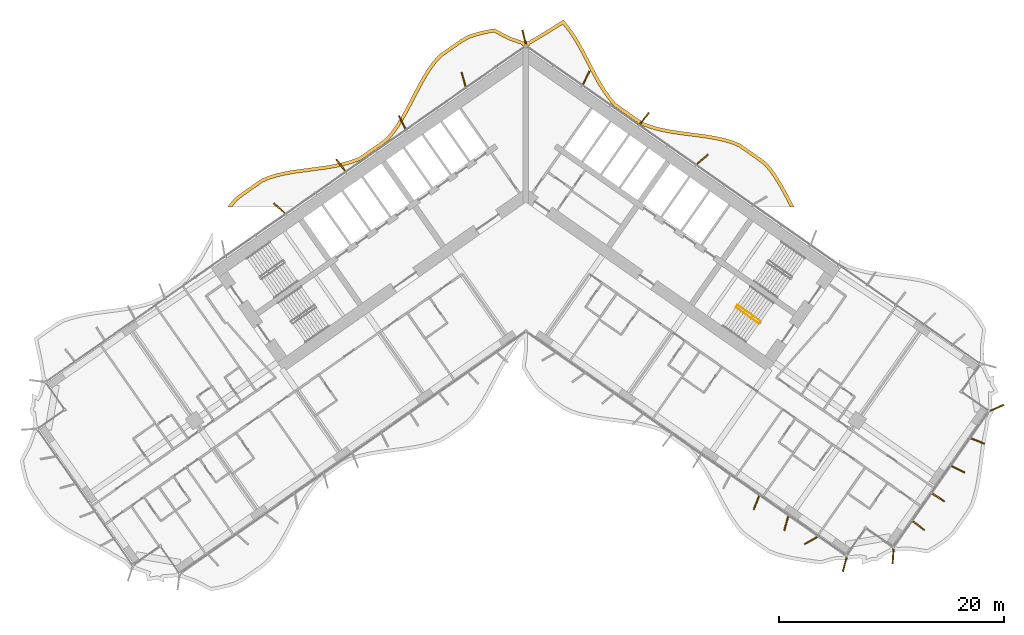
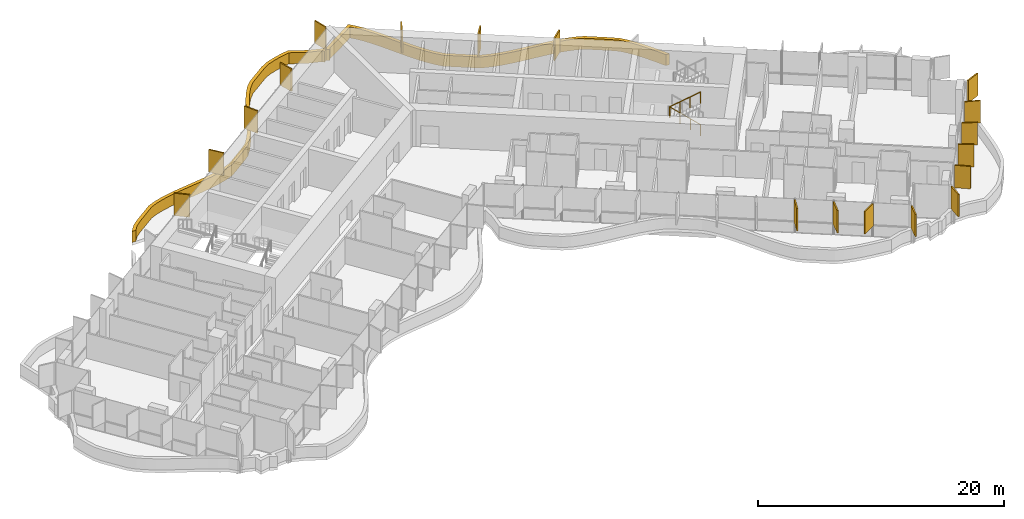
# One storey, part 23 of 24: 19 shading devices, 2 railings.
"""IFC4 building model written with IfcOpenShell, lengths in metres."""

import ifcopenshell
import ifcopenshell.guid

model = None  # the IFC model being written
_history = None  # IfcOwnerHistory: only IFC2X3 demands one
_inside = {}  # id of a spatial element -> (the spatial element, [elements in it])
_under = {}  # id of a project, library or spatial element -> (it, [spatial elements below it])
_declared = {}  # id of a project -> (the project, [libraries it declares])
_typed = {}  # id of a type object -> (the type object, [elements of that type])
_made_of = {}  # id of a material, layer set ... -> (it, [elements and type objects made of it])


def new_model(schema):
    """Start an empty IFC model of exactly this schema.

    Asked for "IFC4X3", IfcOpenShell would pick the latest addendum, in which some entities
    have other attributes; the version numbers below select the first issue.
    IFC2X3 requires an IfcOwnerHistory on every rooted entity: one is made here for all.
    """
    global model, _history
    if schema == "IFC4X3":
        model = ifcopenshell.file(schema_version=(4, 3, 0, 0))
    else:
        model = ifcopenshell.file(schema=schema)
    _inside.clear()
    _under.clear()
    _declared.clear()
    _typed.clear()
    _made_of.clear()
    _history = None
    if model.schema == "IFC2X3":
        org = make("IfcOrganization", Name="unknown")
        user = make(
            "IfcPersonAndOrganization",
            ThePerson=make("IfcPerson", FamilyName="unknown"),
            TheOrganization=org,
        )
        app = make(
            "IfcApplication",
            ApplicationDeveloper=org,
            Version="unknown",
            ApplicationFullName="unknown",
            ApplicationIdentifier="unknown",
        )
        _history = make(
            "IfcOwnerHistory",
            OwningUser=user,
            OwningApplication=app,
            ChangeAction="ADDED",
            CreationDate=0,
        )
    return model


def make(cls, **values):
    """One entity of the class cls with the attributes given. An attribute that is None is left unset."""
    return model.create_entity(
        cls, **{name: value for name, value in values.items() if value is not None}
    )


def rooted(cls, **values):
    """An entity with a GlobalId (a new one), such as an element, a storey or a relation."""
    return make(cls, GlobalId=ifcopenshell.guid.new(), OwnerHistory=_history, **values)


def si_unit(unit_type, name, prefix=None):
    """IfcSIUnit, for example si_unit("LENGTHUNIT", "METRE", prefix="MILLI")."""
    return make("IfcSIUnit", UnitType=unit_type, Prefix=prefix, Name=name)


def assignment(units):
    """IfcUnitAssignment: the units of a project."""
    return None if units is None else make("IfcUnitAssignment", Units=units)


def point(xyz):
    """IfcCartesianPoint."""
    return None if xyz is None else make("IfcCartesianPoint", Coordinates=xyz)


def direction(xyz):
    """IfcDirection."""
    return None if xyz is None else make("IfcDirection", DirectionRatios=xyz)


def frame(location, z_axis=None, x_axis=None):
    """IfcAxis2Placement3D, a coordinate frame: its origin and axes. An axis left out is left unset."""
    return make(
        "IfcAxis2Placement3D",
        Location=point(location),
        Axis=direction(z_axis),
        RefDirection=direction(x_axis),
    )


def frame_2d(location, x_axis=None):
    """IfcAxis2Placement2D, a coordinate frame in the plane: its origin and x axis."""
    return make(
        "IfcAxis2Placement2D", Location=point(location), RefDirection=direction(x_axis)
    )


def origin():
    """The frame at (0, 0, 0) with its axes left unset."""
    return frame((0.0, 0.0, 0.0))


def origin_2d():
    """The frame at (0, 0) in the plane with its x axis left unset."""
    return frame_2d((0.0, 0.0))


def place(relative_to, where):
    """IfcLocalPlacement: puts the frame where relative to a parent placement (None: the world)."""
    return make(
        "IfcLocalPlacement", PlacementRelTo=relative_to, RelativePlacement=where
    )


def context(
    kind, dimensions, precision=None, world=None, true_north=None, identifier=None
):
    """IfcGeometricRepresentationContext, for example the 3D "Model" context."""
    return make(
        "IfcGeometricRepresentationContext",
        ContextIdentifier=identifier,
        ContextType=kind,
        CoordinateSpaceDimension=dimensions,
        Precision=precision,
        WorldCoordinateSystem=world,
        TrueNorth=true_north,
    )


def subcontext(parent, identifier, kind, view, scale=None):
    """IfcGeometricRepresentationSubContext, for example "Body" below "Model"."""
    return make(
        "IfcGeometricRepresentationSubContext",
        ContextIdentifier=identifier,
        ContextType=kind,
        ParentContext=parent,
        TargetScale=scale,
        TargetView=view,
    )


def project(units=None, contexts=None):
    """IfcProject with its units and contexts."""
    return rooted(
        "IfcProject",
        Name="project",
        RepresentationContexts=contexts,
        UnitsInContext=assignment(units),
    )


def spatial(cls, under=None, at=None, **own):
    """A site, building, storey or space (cls), placed at a placement, below another one or the project."""
    s = rooted(cls, ObjectPlacement=at, **own)
    if under is not None:
        _under.setdefault(under.id(), (under, []))[1].append(s)
    return s


def polyline(points):
    """IfcPolyline through the points."""
    return make("IfcPolyline", Points=[point(p) for p in points])


def profile(cls, at=None, kind="AREA", **sizes):
    """A parametric profile (cls). Its sizes go by their IFC names, for example OverallWidth=200.0."""
    return make(cls, ProfileType=kind, Position=at, **sizes)


def rectangle(**sizes):
    """IfcRectangleProfileDef."""
    return profile("IfcRectangleProfileDef", **sizes)


def circle(**sizes):
    """IfcCircleProfileDef."""
    return profile("IfcCircleProfileDef", **sizes)


def outline(outer, holes=None, kind="AREA"):
    """IfcArbitraryClosedProfileDef: a profile drawn as a closed curve; with holes, ...WithVoids."""
    if holes is None:
        return make("IfcArbitraryClosedProfileDef", ProfileType=kind, OuterCurve=outer)
    return make(
        "IfcArbitraryProfileDefWithVoids",
        ProfileType=kind,
        OuterCurve=outer,
        InnerCurves=holes,
    )


def extrude(swept, where, along, depth):
    """IfcExtrudedAreaSolid: the profile swept, set in the frame where, extruded along a direction by depth."""
    return make(
        "IfcExtrudedAreaSolid",
        SweptArea=swept,
        Position=where,
        ExtrudedDirection=direction(along),
        Depth=depth,
    )


def shape(context_of_items, identifier, shape_type, items):
    """IfcShapeRepresentation: the items that make up one representation, for example the "Body"."""
    return make(
        "IfcShapeRepresentation",
        ContextOfItems=context_of_items,
        RepresentationIdentifier=identifier,
        RepresentationType=shape_type,
        Items=items,
    )


def material(Name=None, Category=None):
    """IfcMaterial."""
    return make("IfcMaterial", Name=Name, Category=Category)


def layer(
    of_material, thickness, ventilated=None, Name=None, Category=None, Priority=None
):
    """IfcMaterialLayer: one layer of a wall or slab, of a material (None: an air gap)."""
    return make(
        "IfcMaterialLayer",
        Material=of_material,
        LayerThickness=thickness,
        IsVentilated=ventilated,
        Name=Name,
        Category=Category,
        Priority=Priority,
    )


def layer_set(layers, Name=None):
    """IfcMaterialLayerSet."""
    return make("IfcMaterialLayerSet", MaterialLayers=layers, LayerSetName=Name)


def made_of(thing, what):
    """Note that an element or type object is made of a material, layer set ...; save() writes the relation."""
    if what is not None:
        _made_of.setdefault(what.id(), (what, []))[1].append(thing)
    return thing


def type_object(cls, material=None, **own):
    """A type object (cls), such as IfcWallType, which elements share."""
    return made_of(rooted(cls, **own), material)


def element(
    cls,
    number,
    at=None,
    inside=None,
    cuts=None,
    type_object=None,
    material=None,
    context=None,
    identifier="Body",
    shape_type=None,
    held_by="IfcProductDefinitionShape",
    body=None,
    shapes=None,
    **own,
):
    """One element of the class cls, such as IfcWall. Its Tag is "e" and its number.

    at: its placement. inside: the storey or other place that contains it. cuts: it is an
    opening in that element (IfcRelVoidsElement). A single representation is given by context,
    identifier, shape_type and body (its items); several are given by shapes. held_by: the class
    of the entity that holds the representations. save() writes the other relations.
    """
    e = rooted(cls, Tag="e%d" % number, ObjectPlacement=at, **own)
    if body is not None:
        shapes = [shape(context, identifier, shape_type, body)]
    if shapes is not None:
        e.Representation = make(held_by, Representations=shapes)
    if inside is not None:
        _inside.setdefault(inside.id(), (inside, []))[1].append(e)
    if cuts is not None:
        rooted(
            "IfcRelVoidsElement", RelatingBuildingElement=cuts, RelatedOpeningElement=e
        )
    if type_object is not None:
        _typed.setdefault(type_object.id(), (type_object, []))[1].append(e)
    return made_of(e, material)


def aggregate(whole, parts):
    """IfcRelAggregates: a whole, such as a stair, and the parts it consists of."""
    return rooted("IfcRelAggregates", RelatingObject=whole, RelatedObjects=parts)


def save(model, path):
    """Write the relations noted so far, then the file.

    IfcRelAggregates (storeys below a building ...), IfcRelContainedInSpatialStructure (elements
    in a storey), IfcRelDefinesByType, IfcRelAssociatesMaterial and IfcRelDeclares: one each for
    every whole, place, type object, material and project.
    """
    for whole, parts in _under.values():
        aggregate(whole, parts)
    for where, things in _inside.values():
        rooted(
            "IfcRelContainedInSpatialStructure",
            RelatedElements=things,
            RelatingStructure=where,
        )
    for kind, things in _typed.values():
        rooted("IfcRelDefinesByType", RelatedObjects=things, RelatingType=kind)
    for what, things in _made_of.values():
        rooted("IfcRelAssociatesMaterial", RelatedObjects=things, RelatingMaterial=what)
    for by, libraries in _declared.values():
        rooted("IfcRelDeclares", RelatingContext=by, RelatedDefinitions=libraries)
    model.write(path)


model = new_model("IFC4")

# Units and contexts
model_context = context("Model", 3, precision=1e-05, world=origin(), true_north=direction((0.0, 1.0)))
body_context = subcontext(model_context, "Body", "Model", "MODEL_VIEW")
ifc_project = project(units=[si_unit("LENGTHUNIT", "METRE"), si_unit("AREAUNIT", "SQUARE_METRE"), si_unit("VOLUMEUNIT", "CUBIC_METRE"), si_unit("PLANEANGLEUNIT", "RADIAN"), si_unit("MASSUNIT", "GRAM", prefix="KILO")], contexts=[model_context])

# Site, building, storey
site_placement = place(None, origin())
site = spatial("IfcSite", under=ifc_project, at=site_placement, CompositionType="ELEMENT")
building_placement = place(site_placement, origin())
building = spatial("IfcBuilding", under=site, at=building_placement, Name="Tel Ilan Convention Tower", CompositionType="ELEMENT")
storey_placement = place(building_placement, frame((0.0, 0.0, 90.5)))
storey = spatial("IfcBuildingStorey", under=building, at=storey_placement, Name="L18", CompositionType="ELEMENT", Elevation=90.5)

# Shading devices
ifc_material_1 = material(Name="Aluminium, bronze anodised", Category="aluminium")
ifc_layer_1 = layer(ifc_material_1, 0.1201171875)
ifc_layer_set_1 = layer_set([ifc_layer_1], Name="FIN BRONZE 1300x120")
shading_device_type_1 = type_object("IfcShadingDeviceType", Name="FIN BRONZE 1300x120", PredefinedType="USERDEFINED", material=ifc_layer_set_1)
for number, where, z_axis, x_axis, name in (
    (1, (15.71923828125, 2.5986328125, 1.10009765625), (0.0, 0.0, 1.0), (0.753435896329, 0.657521368568, 0.0), "FIN"),
    (2, (10.54736328125, 6.228271484375, 1.10009765625), (0.0, 0.0, 1.0), (0.612600545196, 0.790392669516, 0.0), "FIN"),
    (3, (5.370361328125, 9.85302734375, 1.10009765625), (0.0, 0.0, 1.0), (0.448799180206, 0.893632640321, 0.0), "FIN"),
    (4, (-0.156005859375, 13.463134765625, 1.10009765625), (0.0, 0.0, 1.0), (-0.240039791311, 0.970763049661, 0.0), "FIN"),
    (5, (-5.546142578125, 9.706787109375, 1.10009765625), (0.0, 0.0, 1.0), (-0.268172612768, 0.963370878614, 0.0), "FIN"),
    (6, (-11.017578125, 5.898681640625, 1.10009765625), (0.0, 0.0, 1.0), (-0.448799180206, 0.893632640321, 0.0), "FIN"),
    (7, (-16.481201171875, 2.073486328125, 1.10009765625), (0.0, 0.0, 1.0), (-0.612600545196, 0.790392669516, 0.0), "FIN"),
    (8, (-21.93994140625, -1.757080078125, 1.10009765625), (0.0, 0.0, 1.0), (-0.753435896329, 0.657521368568, 0.0), "FIN"),
    (9, (20.518310546875, -27.97265625, 1.10009765625), (0.0, 0.0, 1.0), (-0.360177724803, -0.932883704733, 0.0), "FIN"),
    (10, (23.170166015625, -29.81396484375, 1.10009765625), (0.0, 0.0, 1.0), (-0.268172612768, -0.963370878614, 0.0), "FIN"),
    (11, (25.37353515625, -31.334228515625, 1.10009765625), (0.0, 0.0, 1.0), (-0.866025403784, -0.5, 0.0), "FIN"),
    (12, (28.3818359375, -33.458251953125, 1.10009765625), (0.0, 0.0, 1.0), (-0.258819045103, -0.965925826289, 0.0), "FIN"),
    (13, (32.68212890625, -32.7314453125, 1.10009765625), (0.0, 0.0, 1.0), (-0.067821812994, -0.997697449973, 0.0), "FIN"),
    (14, (34.960205078125, -30.011474609375, 1.10009765625), (0.0, 0.0, 1.0), (0.790392669516, -0.612600545196, 0.0), "FIN"),
    (15, (36.71728515625, -27.50244140625, 1.10009765625), (0.0, 0.0, 1.0), (0.845986425922, -0.533204432798, 0.0), "FIN"),
    (16, (38.4736328125, -24.993408203125, 1.10009765625), (0.0, 0.0, 1.0), (0.893632640321, -0.448799180206, 0.0), "FIN"),
    (17, (40.224609375, -22.4814453125, 1.10009765625), (0.0, 0.0, 1.0), (0.932883704733, -0.360177724803, 0.0), "FIN"),
    (18, (41.935546875, -19.516357421875, 1.10009765625), (0.0, 0.0, 1.0), (0.914332505315, 0.404964282034, 0.0), "FIN"),
):
    element("IfcShadingDevice", number, at=place(storey_placement, frame(where, z_axis=z_axis, x_axis=x_axis)), inside=storey, type_object=shading_device_type_1, Name=name, ObjectType="FIN", PredefinedType="USERDEFINED", context=body_context, shape_type="SweptSolid", body=[
        extrude(rectangle(XDim=1.300048828125, YDim=0.1201171875, at=origin_2d()), origin(), (0.0, 0.0, 1.0), 2.219970703125),
    ])
ifc_material_2 = material(Name="Aluminium, bronze anodised", Category="aluminium")
ifc_layer_2 = layer(ifc_material_2, 0.300048828125)
ifc_layer_set_2 = layer_set([ifc_layer_2], Name="LOUVRE BAND 300x1100")
shading_device_type_2 = type_object("IfcShadingDeviceType", Name="LOUVRE BAND 300x1100", PredefinedType="USERDEFINED", material=ifc_layer_set_2)
shading_device_placement = place(storey_placement, origin())
element("IfcShadingDevice", 19, at=shading_device_placement, inside=storey, type_object=shading_device_type_2, Name="LOUVRE BAND 16.02", ObjectType="LOUVRE", PredefinedType="USERDEFINED", context=body_context, shape_type="SweptSolid", body=[
    extrude(outline(polyline([(-26.470947265625, -1.533447265625), (-26.5380859375, -1.631591796875), (-26.164794921875, -1.631591796875), (-25.768798828125, -1.13916015625), (-25.22119140625, -0.691162109375), (-23.4189453125, 0.570556640625), (-22.757568359375, 0.845947265625), (-22.025146484375, 1.0595703125), (-21.250732421875, 1.229248046875), (-20.445556640625, 1.36474609375), (-17.94091796875, 1.697021484375), (-17.10986328125, 1.831298828125), (-16.29736328125, 2.001220703125), (-15.51171875, 2.2197265625), (-14.73974609375, 2.50537109375), (-14.091552734375, 2.951171875), (-12.86083984375, 3.812744140625), (-12.2314453125, 4.287841796875), (-11.706298828125, 4.921142578125), (-11.2373046875, 5.590576171875), (-10.803466796875, 6.300537109375), (-10.395751953125, 7.0380859375), (-9.617919921875, 8.540283203125), (-9.227294921875, 9.275390625), (-8.822509765625, 9.9814453125), (-8.39501953125, 10.64501953125), (-7.941650390625, 11.25048828125), (-7.44140625, 11.75830078125), (-5.638916015625, 13.020263671875), (-5.01953125, 13.36328125), (-4.31494140625, 13.594970703125), (-3.555908203125, 13.7822265625), (-2.858154296875, 13.91259765625), (-1.501220703125, 13.2119140625), (-0.362548828125, 12.812744140625), (-0.24609375, 12.646728515625), (0.0, 12.818115234375), (0.24609375, 12.646728515625), (0.38134765625, 12.839599609375), (1.88916015625, 13.747314453125), (3.271728515625, 14.607177734375), (3.593017578125, 14.232666015625), (4.037353515625, 13.614990234375), (4.454345703125, 12.947998046875), (4.8505859375, 12.2421875), (6.0068359375, 10.025390625), (6.4140625, 9.2998046875), (6.84814453125, 8.603759765625), (7.318115234375, 7.94921875), (7.845947265625, 7.3291015625), (9.697021484375, 6.0283203125), (10.3486328125, 5.60009765625), (11.1142578125, 5.323974609375), (11.8935546875, 5.112060546875), (12.69873046875, 4.94677734375), (13.521240234375, 4.815673828125), (15.99755859375, 4.4873046875), (16.79345703125, 4.35302734375), (17.559326171875, 4.18505859375), (18.284423828125, 3.97412109375), (18.94091796875, 3.7060546875), (20.723876953125, 2.457763671875), (21.272216796875, 2.02392578125), (21.729736328125, 1.462646484375), (22.166748046875, 0.83154296875), (22.57763671875, 0.153564453125), (22.97021484375, -0.56005859375), (23.52587890625, -1.631591796875), (23.86328125, -1.631591796875), (23.23486328125, -0.41845703125), (22.837646484375, 0.303466796875), (22.418701171875, 0.99462890625), (21.9697265625, 1.64306640625), (21.484130859375, 2.239013671875), (20.903076171875, 2.698486328125), (19.08544921875, 3.97119140625), (18.38330078125, 4.2578125), (17.63330078125, 4.47607421875), (16.8505859375, 4.647705078125), (16.043212890625, 4.783935546875), (13.564697265625, 5.112548828125), (12.75244140625, 5.241943359375), (11.963134765625, 5.404052734375), (11.20458984375, 5.610107421875), (10.483642578125, 5.8701171875), (9.865478515625, 6.276611328125), (8.050048828125, 7.55224609375), (7.5546875, 8.134033203125), (7.09765625, 8.770751953125), (6.672119140625, 9.452880859375), (6.2705078125, 10.168701171875), (5.1142578125, 12.385498046875), (4.71240234375, 13.100830078125), (4.28662109375, 13.7822265625), (3.8291015625, 14.418212890625), (3.331787109375, 14.997802734375), (1.732666015625, 14.003173828125), (0.168701171875, 13.059326171875), (0.11474609375, 13.09521484375), (0.0, 13.1181640625), (-0.11474609375, 13.09521484375), (-0.168701171875, 13.059326171875), (-1.382080078125, 13.48828125), (-2.81201171875, 14.226318359375), (-3.619384765625, 14.075439453125), (-4.39794921875, 13.883544921875), (-5.14013671875, 13.639404296875), (-5.798095703125, 13.275146484375), (-7.635986328125, 11.98828125), (-8.169677734375, 11.446533203125), (-8.641357421875, 10.81640625), (-9.078857421875, 10.13720703125), (-9.489990234375, 9.42041015625), (-9.8837890625, 8.67919921875), (-10.66015625, 7.179931640625), (-11.06298828125, 6.451416015625), (-11.488525390625, 5.755126953125), (-11.945068359375, 5.103271484375), (-12.43994140625, 4.506103515625), (-13.037353515625, 4.055419921875), (-14.87890625, 2.773681640625), (-15.60400390625, 2.50537109375), (-16.3681640625, 2.29296875), (-17.16455078125, 2.12646484375), (-17.98486328125, 1.993896484375), (-20.490966796875, 1.661376953125), (-21.307861328125, 1.52392578125), (-22.099365234375, 1.350341796875), (-22.857421875, 1.129150390625), (-23.564453125, 0.8349609375), (-25.40234375, -0.451904296875), (-25.98291015625, -0.9267578125), (-26.470947265625, -1.533447265625)])), origin(), (0.0, 0.0, 1.0), 1.10009765625),
])

# Railings
ifc_material_3 = material(Name="Stainless Steel Grade 316", Category="steel")
railing_type = type_object("IfcRailingType", Name="Stainless Steel Stair Guard 1100 mm", PredefinedType="GUARDRAIL", material=ifc_material_3)
railing_1_placement = place(storey_placement, frame((20.89697265625, -11.824462890625, 0.179931640625)))
element("IfcRailing", 20, at=railing_1_placement, inside=storey, type_object=railing_type, Name="L18 S4 stair guard 1", PredefinedType="GUARDRAIL", context=body_context, shape_type="SweptSolid", body=[
    extrude(circle(Radius=0.02392578125, at=origin_2d()), frame((0.0, 0.0, 1.076171875), z_axis=(-0.689013013563, 0.482512838948, 0.540779462804), x_axis=(-0.573624882958, -0.819118119475, 0.0)), (0.0, 0.0, 1.0), 2.995849609375),
    extrude(circle(Radius=0.02099609375, at=origin_2d()), origin(), (0.0, 0.0, 1.0), 1.052001953125),
    extrude(circle(Radius=0.02099609375, at=origin_2d()), frame((-0.68798828125, 0.48193359375, 0.5400390625)), (0.0, 0.0, 1.0), 1.052001953125),
    extrude(circle(Radius=0.02099609375, at=origin_2d()), frame((-1.376220703125, 0.963623046875, 1.080078125)), (0.0, 0.0, 1.0), 1.052001953125),
    extrude(circle(Radius=0.02099609375, at=origin_2d()), frame((-2.064208984375, 1.445556640625, 1.6201171875)), (0.0, 0.0, 1.0), 1.052001953125),
])
railing_2_placement = place(storey_placement, frame((18.689208984375, -10.583740234375, 1.97998046875)))
element("IfcRailing", 21, at=railing_2_placement, inside=storey, type_object=railing_type, Name="L18 S4 stair guard 3", PredefinedType="GUARDRAIL", context=body_context, shape_type="SweptSolid", body=[
    extrude(circle(Radius=0.02392578125, at=origin_2d()), frame((0.0, 0.0, 1.076171875), z_axis=(0.689055814419, -0.482485747064, 0.540749099395), x_axis=(0.573579365141, 0.81914999352, 0.0)), (0.0, 0.0, 1.0), 2.99609375),
    extrude(circle(Radius=0.02099609375, at=origin_2d()), origin(), (0.0, 0.0, 1.0), 1.052001953125),
    extrude(circle(Radius=0.02099609375, at=origin_2d()), frame((0.688232421875, -0.48193359375, 0.5400390625)), (0.0, 0.0, 1.0), 1.052001953125),
    extrude(circle(Radius=0.02099609375, at=origin_2d()), frame((1.376220703125, -0.963623046875, 1.080078125)), (0.0, 0.0, 1.0), 1.052001953125),
    extrude(circle(Radius=0.02099609375, at=origin_2d()), frame((2.064453125, -1.445556640625, 1.6201171875)), (0.0, 0.0, 1.0), 1.052001953125),
])

save(model, "model.ifc")
